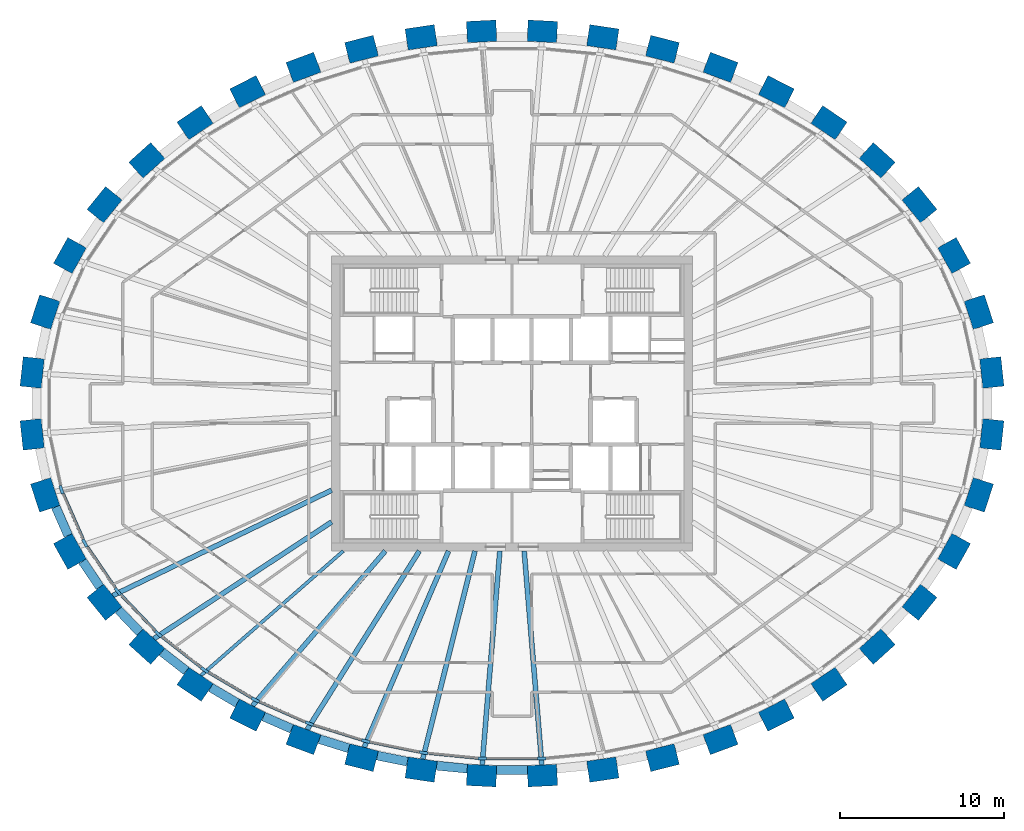
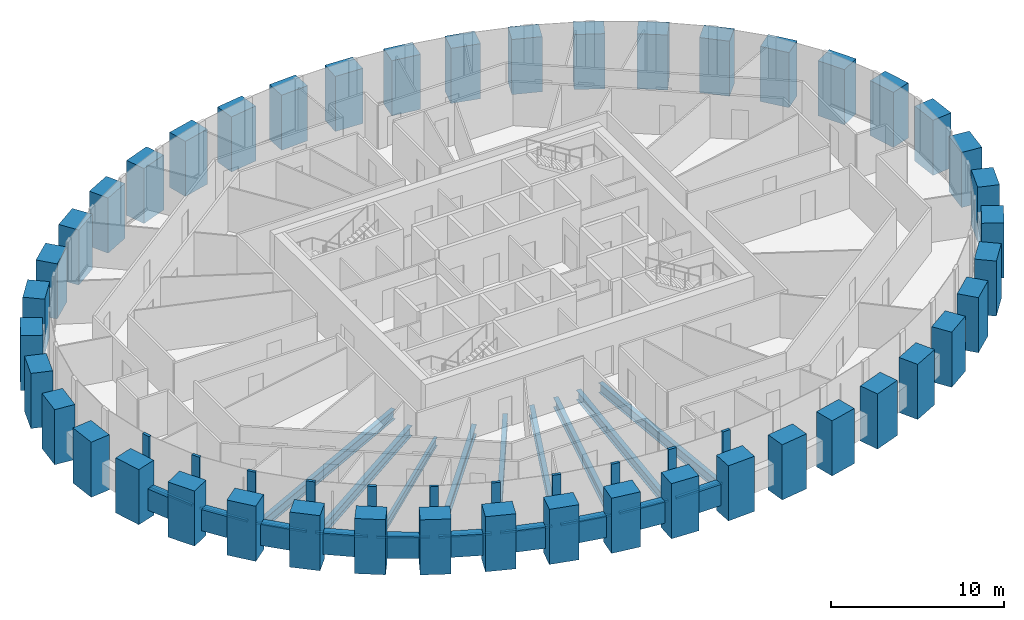
# One storey, part 1 of 11: 44 columns, 21 members, 19 beams, 1 element without a shape of its own.
"""IFC4 building model written with IfcOpenShell, lengths in metres."""

import ifcopenshell
import ifcopenshell.guid

model = None  # the IFC model being written
_history = None  # IfcOwnerHistory: only IFC2X3 demands one
_inside = {}  # id of a spatial element -> (the spatial element, [elements in it])
_under = {}  # id of a project, library or spatial element -> (it, [spatial elements below it])
_declared = {}  # id of a project -> (the project, [libraries it declares])
_typed = {}  # id of a type object -> (the type object, [elements of that type])
_made_of = {}  # id of a material, layer set ... -> (it, [elements and type objects made of it])


def new_model(schema):
    """Start an empty IFC model of exactly this schema.

    Asked for "IFC4X3", IfcOpenShell would pick the latest addendum, in which some entities
    have other attributes; the version numbers below select the first issue.
    IFC2X3 requires an IfcOwnerHistory on every rooted entity: one is made here for all.
    """
    global model, _history
    if schema == "IFC4X3":
        model = ifcopenshell.file(schema_version=(4, 3, 0, 0))
    else:
        model = ifcopenshell.file(schema=schema)
    _inside.clear()
    _under.clear()
    _declared.clear()
    _typed.clear()
    _made_of.clear()
    _history = None
    if model.schema == "IFC2X3":
        org = make("IfcOrganization", Name="unknown")
        user = make(
            "IfcPersonAndOrganization",
            ThePerson=make("IfcPerson", FamilyName="unknown"),
            TheOrganization=org,
        )
        app = make(
            "IfcApplication",
            ApplicationDeveloper=org,
            Version="unknown",
            ApplicationFullName="unknown",
            ApplicationIdentifier="unknown",
        )
        _history = make(
            "IfcOwnerHistory",
            OwningUser=user,
            OwningApplication=app,
            ChangeAction="ADDED",
            CreationDate=0,
        )
    return model


def make(cls, **values):
    """One entity of the class cls with the attributes given. An attribute that is None is left unset."""
    return model.create_entity(
        cls, **{name: value for name, value in values.items() if value is not None}
    )


def rooted(cls, **values):
    """An entity with a GlobalId (a new one), such as an element, a storey or a relation."""
    return make(cls, GlobalId=ifcopenshell.guid.new(), OwnerHistory=_history, **values)


def si_unit(unit_type, name, prefix=None):
    """IfcSIUnit, for example si_unit("LENGTHUNIT", "METRE", prefix="MILLI")."""
    return make("IfcSIUnit", UnitType=unit_type, Prefix=prefix, Name=name)


def assignment(units):
    """IfcUnitAssignment: the units of a project."""
    return None if units is None else make("IfcUnitAssignment", Units=units)


def point(xyz):
    """IfcCartesianPoint."""
    return None if xyz is None else make("IfcCartesianPoint", Coordinates=xyz)


def direction(xyz):
    """IfcDirection."""
    return None if xyz is None else make("IfcDirection", DirectionRatios=xyz)


def frame(location, z_axis=None, x_axis=None):
    """IfcAxis2Placement3D, a coordinate frame: its origin and axes. An axis left out is left unset."""
    return make(
        "IfcAxis2Placement3D",
        Location=point(location),
        Axis=direction(z_axis),
        RefDirection=direction(x_axis),
    )


def frame_2d(location, x_axis=None):
    """IfcAxis2Placement2D, a coordinate frame in the plane: its origin and x axis."""
    return make(
        "IfcAxis2Placement2D", Location=point(location), RefDirection=direction(x_axis)
    )


def origin():
    """The frame at (0, 0, 0) with its axes left unset."""
    return frame((0.0, 0.0, 0.0))


def origin_2d():
    """The frame at (0, 0) in the plane with its x axis left unset."""
    return frame_2d((0.0, 0.0))


def place(relative_to, where):
    """IfcLocalPlacement: puts the frame where relative to a parent placement (None: the world)."""
    return make(
        "IfcLocalPlacement", PlacementRelTo=relative_to, RelativePlacement=where
    )


def context(
    kind, dimensions, precision=None, world=None, true_north=None, identifier=None
):
    """IfcGeometricRepresentationContext, for example the 3D "Model" context."""
    return make(
        "IfcGeometricRepresentationContext",
        ContextIdentifier=identifier,
        ContextType=kind,
        CoordinateSpaceDimension=dimensions,
        Precision=precision,
        WorldCoordinateSystem=world,
        TrueNorth=true_north,
    )


def subcontext(parent, identifier, kind, view, scale=None):
    """IfcGeometricRepresentationSubContext, for example "Body" below "Model"."""
    return make(
        "IfcGeometricRepresentationSubContext",
        ContextIdentifier=identifier,
        ContextType=kind,
        ParentContext=parent,
        TargetScale=scale,
        TargetView=view,
    )


def project(units=None, contexts=None):
    """IfcProject with its units and contexts."""
    return rooted(
        "IfcProject",
        Name="project",
        RepresentationContexts=contexts,
        UnitsInContext=assignment(units),
    )


def spatial(cls, under=None, at=None, **own):
    """A site, building, storey or space (cls), placed at a placement, below another one or the project."""
    s = rooted(cls, ObjectPlacement=at, **own)
    if under is not None:
        _under.setdefault(under.id(), (under, []))[1].append(s)
    return s


def profile(cls, at=None, kind="AREA", **sizes):
    """A parametric profile (cls). Its sizes go by their IFC names, for example OverallWidth=200.0."""
    return make(cls, ProfileType=kind, Position=at, **sizes)


def rectangle(**sizes):
    """IfcRectangleProfileDef."""
    return profile("IfcRectangleProfileDef", **sizes)


def i_section(**sizes):
    """IfcIShapeProfileDef."""
    return profile("IfcIShapeProfileDef", **sizes)


def extrude(swept, where, along, depth):
    """IfcExtrudedAreaSolid: the profile swept, set in the frame where, extruded along a direction by depth."""
    return make(
        "IfcExtrudedAreaSolid",
        SweptArea=swept,
        Position=where,
        ExtrudedDirection=direction(along),
        Depth=depth,
    )


def shape(context_of_items, identifier, shape_type, items):
    """IfcShapeRepresentation: the items that make up one representation, for example the "Body"."""
    return make(
        "IfcShapeRepresentation",
        ContextOfItems=context_of_items,
        RepresentationIdentifier=identifier,
        RepresentationType=shape_type,
        Items=items,
    )


def source(mapping_origin, context_of_items, identifier, shape_type, items):
    """IfcRepresentationMap: a shape defined once, which mapped items show again and again."""
    return make(
        "IfcRepresentationMap",
        MappingOrigin=mapping_origin,
        MappedRepresentation=shape(context_of_items, identifier, shape_type, items),
    )


def transform(
    local_origin,
    x_axis=None,
    y_axis=None,
    z_axis=None,
    scale=None,
    scale2=None,
    scale3=None,
    uniform=True,
):
    """IfcCartesianTransformationOperator3D, or its non-uniform kind. x_axis, y_axis, z_axis: its Axis1, 2, 3."""
    if uniform:
        return make(
            "IfcCartesianTransformationOperator3D",
            Axis1=direction(x_axis),
            Axis2=direction(y_axis),
            LocalOrigin=point(local_origin),
            Scale=scale,
            Axis3=direction(z_axis),
        )
    return make(
        "IfcCartesianTransformationOperator3DnonUniform",
        Axis1=direction(x_axis),
        Axis2=direction(y_axis),
        LocalOrigin=point(local_origin),
        Scale=scale,
        Axis3=direction(z_axis),
        Scale2=scale2,
        Scale3=scale3,
    )


def mapped(mapping_source, mapping_target):
    """IfcMappedItem: shows the shape of a source again, moved by a transform."""
    return make(
        "IfcMappedItem", MappingSource=mapping_source, MappingTarget=mapping_target
    )


def material(Name=None, Category=None):
    """IfcMaterial."""
    return make("IfcMaterial", Name=Name, Category=Category)


def material_profile(
    of_material, cross_section, Name=None, Category=None, Priority=None
):
    """IfcMaterialProfile: a cross section and its material."""
    return make(
        "IfcMaterialProfile",
        Name=Name,
        Material=of_material,
        Profile=cross_section,
        Priority=Priority,
        Category=Category,
    )


def profile_set(profiles, Name=None, composite=None):
    """IfcMaterialProfileSet."""
    return make(
        "IfcMaterialProfileSet",
        Name=Name,
        MaterialProfiles=profiles,
        CompositeProfile=composite,
    )


def made_of(thing, what):
    """Note that an element or type object is made of a material, layer set ...; save() writes the relation."""
    if what is not None:
        _made_of.setdefault(what.id(), (what, []))[1].append(thing)
    return thing


def type_object(cls, material=None, **own):
    """A type object (cls), such as IfcWallType, which elements share."""
    return made_of(rooted(cls, **own), material)


def element(
    cls,
    number,
    at=None,
    inside=None,
    cuts=None,
    type_object=None,
    material=None,
    context=None,
    identifier="Body",
    shape_type=None,
    held_by="IfcProductDefinitionShape",
    body=None,
    shapes=None,
    **own,
):
    """One element of the class cls, such as IfcWall. Its Tag is "e" and its number.

    at: its placement. inside: the storey or other place that contains it. cuts: it is an
    opening in that element (IfcRelVoidsElement). A single representation is given by context,
    identifier, shape_type and body (its items); several are given by shapes. held_by: the class
    of the entity that holds the representations. save() writes the other relations.
    """
    e = rooted(cls, Tag="e%d" % number, ObjectPlacement=at, **own)
    if body is not None:
        shapes = [shape(context, identifier, shape_type, body)]
    if shapes is not None:
        e.Representation = make(held_by, Representations=shapes)
    if inside is not None:
        _inside.setdefault(inside.id(), (inside, []))[1].append(e)
    if cuts is not None:
        rooted(
            "IfcRelVoidsElement", RelatingBuildingElement=cuts, RelatedOpeningElement=e
        )
    if type_object is not None:
        _typed.setdefault(type_object.id(), (type_object, []))[1].append(e)
    return made_of(e, material)


def aggregate(whole, parts):
    """IfcRelAggregates: a whole, such as a stair, and the parts it consists of."""
    return rooted("IfcRelAggregates", RelatingObject=whole, RelatedObjects=parts)


def save(model, path):
    """Write the relations noted so far, then the file.

    IfcRelAggregates (storeys below a building ...), IfcRelContainedInSpatialStructure (elements
    in a storey), IfcRelDefinesByType, IfcRelAssociatesMaterial and IfcRelDeclares: one each for
    every whole, place, type object, material and project.
    """
    for whole, parts in _under.values():
        aggregate(whole, parts)
    for where, things in _inside.values():
        rooted(
            "IfcRelContainedInSpatialStructure",
            RelatedElements=things,
            RelatingStructure=where,
        )
    for kind, things in _typed.values():
        rooted("IfcRelDefinesByType", RelatedObjects=things, RelatingType=kind)
    for what, things in _made_of.values():
        rooted("IfcRelAssociatesMaterial", RelatedObjects=things, RelatingMaterial=what)
    for by, libraries in _declared.values():
        rooted("IfcRelDeclares", RelatingContext=by, RelatedDefinitions=libraries)
    model.write(path)


model = new_model("IFC4")

# Units and contexts
model_context = context("Model", 3, precision=1e-05, world=origin(), true_north=direction((0.0, 1.0)))
body_context = subcontext(model_context, "Body", "Model", "MODEL_VIEW")
ifc_project = project(units=[si_unit("LENGTHUNIT", "METRE"), si_unit("AREAUNIT", "SQUARE_METRE"), si_unit("VOLUMEUNIT", "CUBIC_METRE"), si_unit("PLANEANGLEUNIT", "RADIAN"), si_unit("MASSUNIT", "GRAM", prefix="KILO")], contexts=[model_context])

# Site, building, storey
site_placement = place(None, origin())
site = spatial("IfcSite", under=ifc_project, at=site_placement, CompositionType="ELEMENT")
building_placement = place(site_placement, origin())
building = spatial("IfcBuilding", under=site, at=building_placement, Name="Embergate Tower", CompositionType="ELEMENT")
storey_placement = place(building_placement, frame((0.0, 0.0, 324.699951171875)))
storey = spatial("IfcBuildingStorey", under=building, at=storey_placement, Name="L76", CompositionType="ELEMENT", Elevation=324.699951171875)

# Columns
ifc_material_1 = material(Name="Concrete C50", Category="concrete")
ifc_material_profile_1 = material_profile(ifc_material_1, rectangle(XDim=1.300048828125, YDim=1.800048828125, at=origin_2d()), Name="RC 1300x1800")
ifc_profile_set_1 = profile_set([ifc_material_profile_1], Name="Concrete C50")
column_type = type_object("IfcColumnType", Name="Ring column RC 1300x1800 C50", PredefinedType="COLUMN", material=ifc_profile_set_1)
shared_shape_1 = source(origin(), body_context, "Body", "SweptSolid", [
    extrude(rectangle(XDim=1.300048828125, YDim=1.800048828125, at=origin_2d()), origin(), (0.0, 0.0, 1.0), 3.89990234375),
])
for number, where, z_axis, x_axis, name in (
    (1, (29.262939453125, 1.886962890625, -1.39990234375), (0.0, 0.0, 1.0), (0.99428589498, 0.106749983816, 0.0), "COL-L76-00"),
    (2, (28.469970703125, 5.573974609375, -1.39990234375), (0.0, 0.0, 1.0), (0.950754033697, 0.309946394413, 0.0), "COL-L76-01"),
    (3, (26.958984375, 9.02001953125, -1.39990234375), (0.0, 0.0, 1.0), (0.873500465855, 0.486823311018, 0.0), "COL-L76-02"),
    (4, (24.84912109375, 12.1220703125, -1.39990234375), (0.0, 0.0, 1.0), (0.775925311702, 0.630824786022, 0.0), "COL-L76-03"),
    (5, (22.26904296875, 14.827880859375, -1.39990234375), (0.0, 0.0, 1.0), (0.669221393633, 0.743063070206, 0.0), "COL-L76-04"),
    (6, (19.3291015625, 17.123046875, -1.39990234375), (0.0, 0.0, 1.0), (0.560393279442, 0.828226643109, 0.0), "COL-L76-05"),
    (7, (16.12109375, 19.010009765625, -1.39990234375), (0.0, 0.0, 1.0), (0.453010512651, 0.891505174089, 0.0), "COL-L76-06"),
    (8, (12.717041015625, 20.498046875, -1.39990234375), (0.0, 0.0, 1.0), (0.348343015724, 0.93736713373, 0.0), "COL-L76-07"),
    (9, (9.175048828125, 21.60107421875, -1.39990234375), (0.0, 0.0, 1.0), (0.24650851817, 0.969140624713, 0.0), "COL-L76-08"),
    (10, (5.5400390625, 22.330078125, -1.39990234375), (0.0, 0.0, 1.0), (0.146929011949, 0.989147039346, 0.0), "COL-L76-09"),
    (11, (1.85205078125, 22.693115234375, -1.39990234375), (0.0, 0.0, 1.0), (0.048814904854, 0.998807841912, 0.0), "COL-L76-10"),
    (12, (-1.85205078125, 22.693115234375, -1.39990234375), (0.0, 0.0, 1.0), (-0.048814904854, 0.998807841912, 0.0), "COL-L76-11"),
    (13, (-5.5400390625, 22.330078125, -1.39990234375), (0.0, 0.0, 1.0), (-0.146929011949, 0.989147039346, 0.0), "COL-L76-12"),
    (14, (-9.175048828125, 21.60107421875, -1.39990234375), (0.0, 0.0, 1.0), (-0.24650851817, 0.969140624713, 0.0), "COL-L76-13"),
    (15, (-12.717041015625, 20.498046875, -1.39990234375), (0.0, 0.0, 1.0), (-0.348343015724, 0.93736713373, 0.0), "COL-L76-14"),
    (16, (-16.12109375, 19.010009765625, -1.39990234375), (0.0, 0.0, 1.0), (-0.453010512651, 0.891505174089, 0.0), "COL-L76-15"),
    (17, (-19.3291015625, 17.123046875, -1.39990234375), (0.0, 0.0, 1.0), (-0.560393279442, 0.828226643109, 0.0), "COL-L76-16"),
    (18, (-22.26904296875, 14.827880859375, -1.39990234375), (0.0, 0.0, 1.0), (-0.669221393633, 0.743063070206, 0.0), "COL-L76-17"),
    (19, (-24.84912109375, 12.1220703125, -1.39990234375), (0.0, 0.0, 1.0), (-0.775925311702, 0.630824786022, 0.0), "COL-L76-18"),
    (20, (-26.958984375, 9.02001953125, -1.39990234375), (0.0, 0.0, 1.0), (-0.873500465855, 0.486823311018, 0.0), "COL-L76-19"),
    (21, (-28.469970703125, 5.573974609375, -1.39990234375), (0.0, 0.0, 1.0), (-0.950754033697, 0.309946394413, 0.0), "COL-L76-20"),
    (22, (-29.262939453125, 1.886962890625, -1.39990234375), (0.0, 0.0, 1.0), (-0.99428589498, 0.106749983816, 0.0), "COL-L76-21"),
    (23, (-29.262939453125, -1.886962890625, -1.39990234375), (0.0, 0.0, 1.0), (-0.99428589498, -0.106749983816, 0.0), "COL-L76-22"),
    (24, (-28.469970703125, -5.573974609375, -1.39990234375), (0.0, 0.0, 1.0), (-0.950754033697, -0.309946394413, 0.0), "COL-L76-23"),
    (25, (-26.958984375, -9.02001953125, -1.39990234375), (0.0, 0.0, 1.0), (-0.873500465855, -0.486823311018, 0.0), "COL-L76-24"),
    (26, (-24.84912109375, -12.1220703125, -1.39990234375), (0.0, 0.0, 1.0), (-0.775925311702, -0.630824786022, 0.0), "COL-L76-25"),
    (27, (-22.26904296875, -14.827880859375, -1.39990234375), (0.0, 0.0, 1.0), (-0.669221393633, -0.743063070206, 0.0), "COL-L76-26"),
    (28, (-19.3291015625, -17.123046875, -1.39990234375), (0.0, 0.0, 1.0), (-0.560393279442, -0.828226643109, 0.0), "COL-L76-27"),
    (29, (-16.12109375, -19.010009765625, -1.39990234375), (0.0, 0.0, 1.0), (-0.453010512651, -0.891505174089, 0.0), "COL-L76-28"),
    (30, (-12.717041015625, -20.498046875, -1.39990234375), (0.0, 0.0, 1.0), (-0.348343015724, -0.93736713373, 0.0), "COL-L76-29"),
    (31, (-9.175048828125, -21.60107421875, -1.39990234375), (0.0, 0.0, 1.0), (-0.24650851817, -0.969140624713, 0.0), "COL-L76-30"),
    (32, (-5.5400390625, -22.330078125, -1.39990234375), (0.0, 0.0, 1.0), (-0.146929011949, -0.989147039346, 0.0), "COL-L76-31"),
    (33, (-1.85205078125, -22.693115234375, -1.39990234375), (0.0, 0.0, 1.0), (-0.048814904854, -0.998807841912, 0.0), "COL-L76-32"),
    (34, (1.85205078125, -22.693115234375, -1.39990234375), (0.0, 0.0, 1.0), (0.048814904854, -0.998807841912, 0.0), "COL-L76-33"),
    (35, (5.5400390625, -22.330078125, -1.39990234375), (0.0, 0.0, 1.0), (0.146929011949, -0.989147039346, 0.0), "COL-L76-34"),
    (36, (9.175048828125, -21.60107421875, -1.39990234375), (0.0, 0.0, 1.0), (0.24650851817, -0.969140624713, 0.0), "COL-L76-35"),
    (37, (12.717041015625, -20.498046875, -1.39990234375), (0.0, 0.0, 1.0), (0.348343015724, -0.93736713373, 0.0), "COL-L76-36"),
    (38, (16.12109375, -19.010009765625, -1.39990234375), (0.0, 0.0, 1.0), (0.453010512651, -0.891505174089, 0.0), "COL-L76-37"),
    (39, (19.3291015625, -17.123046875, -1.39990234375), (0.0, 0.0, 1.0), (0.560393279442, -0.828226643109, 0.0), "COL-L76-38"),
    (40, (22.26904296875, -14.827880859375, -1.39990234375), (0.0, 0.0, 1.0), (0.669221393633, -0.743063070206, 0.0), "COL-L76-39"),
    (41, (24.84912109375, -12.1220703125, -1.39990234375), (0.0, 0.0, 1.0), (0.775925311702, -0.630824786022, 0.0), "COL-L76-40"),
    (42, (26.958984375, -9.02001953125, -1.39990234375), (0.0, 0.0, 1.0), (0.873500465855, -0.486823311018, 0.0), "COL-L76-41"),
    (43, (28.469970703125, -5.573974609375, -1.39990234375), (0.0, 0.0, 1.0), (0.950754033697, -0.309946394413, 0.0), "COL-L76-42"),
    (44, (29.262939453125, -1.886962890625, -1.39990234375), (0.0, 0.0, 1.0), (0.99428589498, -0.106749983816, 0.0), "COL-L76-43"),
):
    element("IfcColumn", number, at=place(storey_placement, frame(where, z_axis=z_axis, x_axis=x_axis)), inside=storey, type_object=column_type, Name=name, PredefinedType="COLUMN", context=body_context, shape_type="MappedRepresentation", body=[
        mapped(shared_shape_1, transform((0.0, 0.0, 0.0))),
    ])

# Beams
ifc_material_profile_2 = material_profile(ifc_material_1, rectangle(XDim=0.550048828125, YDim=1.5, at=origin_2d()), Name="RC 550x1500")
ifc_profile_set_2 = profile_set([ifc_material_profile_2], Name="Concrete C50")
beam_type_1 = type_object("IfcBeamType", Name="Spandrel beam RC 550x1500 C50", PredefinedType="BEAM", material=ifc_profile_set_2)
shared_shape_2 = source(origin(), body_context, "Body", "SweptSolid", [
    extrude(rectangle(XDim=0.550048828125, YDim=1.5, at=origin_2d()), origin(), (0.0, 0.0, 1.0), 1.897705078125),
])
beam_1_placement = place(storey_placement, frame((-27.827880859375, -6.31103515625, 0.0), z_axis=(0.401513845594, -0.915852953151, 0.0), x_axis=(0.915852953151, 0.401513845594, 0.0)))
element("IfcBeam", 45, at=beam_1_placement, inside=storey, type_object=beam_type_1, Name="SPN-L76-23", PredefinedType="BEAM", context=body_context, shape_type="MappedRepresentation", body=[
    mapped(shared_shape_2, transform((0.0, 0.0, 0.0))),
])
shared_shape_3 = source(origin(), body_context, "Body", "SweptSolid", [
    extrude(rectangle(XDim=0.550048828125, YDim=1.5, at=origin_2d()), origin(), (0.0, 0.0, 1.0), 1.893798828125),
])
beam_2_placement = place(storey_placement, frame((-26.194091796875, -9.6240234375, 0.0), z_axis=(0.562440477268, -0.826837777034, 0.0), x_axis=(0.826837777034, 0.562440477268, 0.0)))
element("IfcBeam", 46, at=beam_2_placement, inside=storey, type_object=beam_type_1, Name="SPN-L76-24", PredefinedType="BEAM", context=body_context, shape_type="MappedRepresentation", body=[
    mapped(shared_shape_3, transform((0.0, 0.0, 0.0))),
])
shared_shape_4 = source(origin(), body_context, "Body", "SweptSolid", [
    extrude(rectangle(XDim=0.550048828125, YDim=1.5, at=origin_2d()), origin(), (0.0, 0.0, 1.0), 1.8876953125),
])
beam_3_placement = place(storey_placement, frame((-23.998046875, -12.590087890625, 0.0), z_axis=(0.69022655599, -0.723593325982, 0.0), x_axis=(0.723593325982, 0.69022655599, 0.0)))
element("IfcBeam", 47, at=beam_3_placement, inside=storey, type_object=beam_type_1, Name="SPN-L76-25", PredefinedType="BEAM", context=body_context, shape_type="MappedRepresentation", body=[
    mapped(shared_shape_4, transform((0.0, 0.0, 0.0))),
])
shared_shape_5 = source(origin(), body_context, "Body", "SweptSolid", [
    extrude(rectangle(XDim=0.550048828125, YDim=1.5, at=origin_2d()), origin(), (0.0, 0.0, 1.0), 1.88232421875),
])
beam_4_placement = place(storey_placement, frame((-21.347900390625, -15.14990234375, 0.0), z_axis=(0.788303508782, -0.615286582043, 0.0), x_axis=(0.615286582043, 0.788303508782, 0.0)))
element("IfcBeam", 48, at=beam_4_placement, inside=storey, type_object=beam_type_1, Name="SPN-L76-26", PredefinedType="BEAM", context=body_context, shape_type="MappedRepresentation", body=[
    mapped(shared_shape_5, transform((0.0, 0.0, 0.0))),
])
shared_shape_6 = source(origin(), body_context, "Body", "SweptSolid", [
    extrude(rectangle(XDim=0.550048828125, YDim=1.5, at=origin_2d()), origin(), (0.0, 0.0, 1.0), 1.87939453125),
])
beam_5_placement = place(storey_placement, frame((-18.3759765625, -17.320068359375, 0.0), z_axis=(0.861930875636, -0.507025803708, 0.0), x_axis=(0.507025803708, 0.861930875636, 0.0)))
element("IfcBeam", 49, at=beam_5_placement, inside=storey, type_object=beam_type_1, Name="SPN-L76-27", PredefinedType="BEAM", context=body_context, shape_type="MappedRepresentation", body=[
    mapped(shared_shape_6, transform((0.0, 0.0, 0.0))),
])
shared_shape_7 = source(origin(), body_context, "Body", "SweptSolid", [
    extrude(rectangle(XDim=0.550048828125, YDim=1.5, at=origin_2d()), origin(), (0.0, 0.0, 1.0), 1.876708984375),
])
beam_6_placement = place(storey_placement, frame((-15.153076171875, -19.091064453125, 0.0), z_axis=(0.916452657221, -0.400143133231, 0.0), x_axis=(0.400143133231, 0.916452657221, 0.0)))
element("IfcBeam", 50, at=beam_6_placement, inside=storey, type_object=beam_type_1, Name="SPN-L76-28", PredefinedType="BEAM", context=body_context, shape_type="MappedRepresentation", body=[
    mapped(shared_shape_7, transform((0.0, 0.0, 0.0))),
])
shared_shape_8 = source(origin(), body_context, "Body", "SweptSolid", [
    extrude(rectangle(XDim=0.550048828125, YDim=1.5, at=origin_2d()), origin(), (0.0, 0.0, 1.0), 1.873779296875),
])
for number, where, z_axis, x_axis, name in (
    (51, (-11.7470703125, -20.470947265625, 0.0), (0.954776255033, -0.297325247542, 0.0), (0.297325247542, 0.954776255033, 0.0), "SPN-L76-29"),
    (52, (-8.214111328125, -21.472900390625, 0.0), (0.980404898084, -0.196992984173, 0.0), (0.196992984173, 0.980404898084, 0.0), "SPN-L76-30"),
):
    element("IfcBeam", number, at=place(storey_placement, frame(where, z_axis=z_axis, x_axis=x_axis)), inside=storey, type_object=beam_type_1, Name=name, PredefinedType="BEAM", context=body_context, shape_type="MappedRepresentation", body=[
        mapped(shared_shape_8, transform((0.0, 0.0, 0.0))),
    ])
shared_shape_9 = source(origin(), body_context, "Body", "SweptSolid", [
    extrude(rectangle(XDim=0.550048828125, YDim=1.5, at=origin_2d()), origin(), (0.0, 0.0, 1.0), 1.87109375),
])
beam_7_placement = place(storey_placement, frame((-4.593994140625, -22.0869140625, 0.0), z_axis=(0.995148946648, -0.098379743775, 0.0), x_axis=(0.098379743775, 0.995148946648, 0.0)))
element("IfcBeam", 53, at=beam_7_placement, inside=storey, type_object=beam_type_1, Name="SPN-L76-31", PredefinedType="BEAM", context=body_context, shape_type="MappedRepresentation", body=[
    mapped(shared_shape_9, transform((0.0, 0.0, 0.0))),
])
shared_shape_10 = source(origin(), body_context, "Body", "SweptSolid", [
    extrude(rectangle(XDim=0.550048828125, YDim=1.5, at=origin_2d()), origin(), (0.0, 0.0, 1.0), 1.8701171875),
])
beam_8_placement = place(storey_placement, frame((-0.93505859375, -22.35888671875, 0.0), z_axis=(1.0, 0.0, 0.0), x_axis=(0.0, 1.0, 0.0)))
element("IfcBeam", 54, at=beam_8_placement, inside=storey, type_object=beam_type_1, Name="SPN-L76-32", PredefinedType="BEAM", context=body_context, shape_type="MappedRepresentation", body=[
    mapped(shared_shape_10, transform((0.0, 0.0, 0.0))),
])
ifc_material_2 = material(Name="Steel Q355B", Category="steel")
ifc_material_profile_3 = material_profile(ifc_material_2, i_section(OverallWidth=0.300048828125, OverallDepth=0.699951171875, WebThickness=0.012939453125, FlangeThickness=0.02392578125, FilletRadius=0.01806640625, at=origin_2d()), Name="HN 700x300x13x24")
ifc_profile_set_3 = profile_set([ifc_material_profile_3], Name="Steel Q355 grade B")
beam_type_2 = type_object("IfcBeamType", Name="Radial girder HN 700x300x13x24", PredefinedType="BEAM", material=ifc_profile_set_3)
shared_shape_11 = source(origin(), body_context, "Body", "SweptSolid", [
    extrude(i_section(OverallWidth=0.300048828125, OverallDepth=0.699951171875, WebThickness=0.012939453125, FlangeThickness=0.02392578125, FilletRadius=0.01806640625, at=origin_2d()), origin(), (0.0, 0.0, 1.0), 14.808837890625),
])
beam_9_placement = place(storey_placement, frame((-24.344970703125, -11.7119140625, -0.550048828125), z_axis=(0.90114505666, 0.43351768921, 0.0), x_axis=(-0.43351768921, 0.90114505666, 0.0)))
element("IfcBeam", 55, at=beam_9_placement, inside=storey, type_object=beam_type_2, Name="GIR-L76-25", PredefinedType="BEAM", context=body_context, shape_type="MappedRepresentation", body=[
    mapped(shared_shape_11, transform((0.0, 0.0, 0.0))),
])
shared_shape_12 = source(origin(), body_context, "Body", "SweptSolid", [
    extrude(i_section(OverallWidth=0.300048828125, OverallDepth=0.699951171875, WebThickness=0.012939453125, FlangeThickness=0.02392578125, FilletRadius=0.01806640625, at=origin_2d()), origin(), (0.0, 0.0, 1.0), 12.963134765625),
])
beam_10_placement = place(storey_placement, frame((-21.833984375, -14.344970703125, -0.550048828125), z_axis=(0.835760548257, 0.549094077529, 0.0), x_axis=(-0.549094077529, 0.835760548257, 0.0)))
element("IfcBeam", 56, at=beam_10_placement, inside=storey, type_object=beam_type_2, Name="GIR-L76-26", PredefinedType="BEAM", context=body_context, shape_type="MappedRepresentation", body=[
    mapped(shared_shape_12, transform((0.0, 0.0, 0.0))),
])
ifc_material_profile_4 = material_profile(ifc_material_2, i_section(OverallWidth=0.199951171875, OverallDepth=0.60009765625, WebThickness=0.010986328125, FlangeThickness=0.01708984375, FilletRadius=0.012939453125, at=origin_2d()), Name="HN 600x200x11x17")
ifc_profile_set_4 = profile_set([ifc_material_profile_4], Name="Steel Q355 grade B")
beam_type_3 = type_object("IfcBeamType", Name="Radial girder HN 600x200x11x17", PredefinedType="BEAM", material=ifc_profile_set_4)
shared_shape_13 = source(origin(), body_context, "Body", "SweptSolid", [
    extrude(i_section(OverallWidth=0.199951171875, OverallDepth=0.60009765625, WebThickness=0.010986328125, FlangeThickness=0.01708984375, FilletRadius=0.012939453125, at=origin_2d()), origin(), (0.0, 0.0, 1.0), 11.52197265625),
])
beam_11_placement = place(storey_placement, frame((-18.965087890625, -16.5849609375, -0.5), z_axis=(0.752748620868, 0.658308069054, 0.0), x_axis=(-0.658308069054, 0.752748620868, 0.0)))
element("IfcBeam", 57, at=beam_11_placement, inside=storey, type_object=beam_type_3, Name="GIR-L76-27", PredefinedType="BEAM", context=body_context, shape_type="MappedRepresentation", body=[
    mapped(shared_shape_13, transform((0.0, 0.0, 0.0))),
])
shared_shape_14 = source(origin(), body_context, "Body", "SweptSolid", [
    extrude(i_section(OverallWidth=0.300048828125, OverallDepth=0.699951171875, WebThickness=0.012939453125, FlangeThickness=0.02392578125, FilletRadius=0.01806640625, at=origin_2d()), origin(), (0.0, 0.0, 1.0), 12.43115234375),
])
beam_12_placement = place(storey_placement, frame((-15.826904296875, -18.430908203125, -0.550048828125), z_axis=(0.651497878896, 0.758650455608, 0.0), x_axis=(-0.758650455608, 0.651497878896, 0.0)))
element("IfcBeam", 58, at=beam_12_placement, inside=storey, type_object=beam_type_2, Name="GIR-L76-28", PredefinedType="BEAM", context=body_context, shape_type="MappedRepresentation", body=[
    mapped(shared_shape_14, transform((0.0, 0.0, 0.0))),
])
shared_shape_15 = source(origin(), body_context, "Body", "SweptSolid", [
    extrude(i_section(OverallWidth=0.300048828125, OverallDepth=0.699951171875, WebThickness=0.012939453125, FlangeThickness=0.02392578125, FilletRadius=0.01806640625, at=origin_2d()), origin(), (0.0, 0.0, 1.0), 12.8583984375),
])
beam_13_placement = place(storey_placement, frame((-12.490966796875, -19.888916015625, -0.550048828125), z_axis=(0.531859653709, 0.846832515174, 0.0), x_axis=(-0.846832515174, 0.531859653709, 0.0)))
element("IfcBeam", 59, at=beam_13_placement, inside=storey, type_object=beam_type_2, Name="GIR-L76-29", PredefinedType="BEAM", context=body_context, shape_type="MappedRepresentation", body=[
    mapped(shared_shape_15, transform((0.0, 0.0, 0.0))),
])
shared_shape_16 = source(origin(), body_context, "Body", "SweptSolid", [
    extrude(i_section(OverallWidth=0.300048828125, OverallDepth=0.699951171875, WebThickness=0.012939453125, FlangeThickness=0.02392578125, FilletRadius=0.01806640625, at=origin_2d()), origin(), (0.0, 0.0, 1.0), 13.0302734375),
])
beam_14_placement = place(storey_placement, frame((-9.014892578125, -20.970947265625, -0.550048828125), z_axis=(0.394929867162, 0.918711271305, 0.0), x_axis=(-0.918711271305, 0.394929867162, 0.0)))
element("IfcBeam", 60, at=beam_14_placement, inside=storey, type_object=beam_type_2, Name="GIR-L76-30", PredefinedType="BEAM", context=body_context, shape_type="MappedRepresentation", body=[
    mapped(shared_shape_16, transform((0.0, 0.0, 0.0))),
])
shared_shape_17 = source(origin(), body_context, "Body", "SweptSolid", [
    extrude(i_section(OverallWidth=0.300048828125, OverallDepth=0.699951171875, WebThickness=0.012939453125, FlangeThickness=0.02392578125, FilletRadius=0.01806640625, at=origin_2d()), origin(), (0.0, 0.0, 1.0), 13.080810546875),
])
beam_15_placement = place(storey_placement, frame((-5.444091796875, -21.68701171875, -0.550048828125), z_axis=(0.243492869498, 0.969902687131, 0.0), x_axis=(-0.969902687131, 0.243492869498, 0.0)))
element("IfcBeam", 61, at=beam_15_placement, inside=storey, type_object=beam_type_2, Name="GIR-L76-31", PredefinedType="BEAM", context=body_context, shape_type="MappedRepresentation", body=[
    mapped(shared_shape_17, transform((0.0, 0.0, 0.0))),
])
shared_shape_18 = source(origin(), body_context, "Body", "SweptSolid", [
    extrude(i_section(OverallWidth=0.300048828125, OverallDepth=0.699951171875, WebThickness=0.012939453125, FlangeThickness=0.02392578125, FilletRadius=0.01806640625, at=origin_2d()), origin(), (0.0, 0.0, 1.0), 13.08837890625),
])
for number, where, z_axis, x_axis, name in (
    (62, (-1.820068359375, -22.0439453125, -0.550048828125), (0.082298295943, 0.996607741534, 0.0), (-0.996607741534, 0.082298295943, 0.0), "GIR-L76-32"),
    (63, (1.820068359375, -22.0439453125, -0.550048828125), (-0.082298295943, 0.996607741534, 0.0), (-0.996607741534, -0.082298295943, 0.0), "GIR-L76-33"),
):
    element("IfcBeam", number, at=place(storey_placement, frame(where, z_axis=z_axis, x_axis=x_axis)), inside=storey, type_object=beam_type_2, Name=name, PredefinedType="BEAM", context=body_context, shape_type="MappedRepresentation", body=[
        mapped(shared_shape_18, transform((0.0, 0.0, 0.0))),
    ])

# Curtain wall, members
ifc_material_3 = material(Name="Aluminium and glass", Category="aluminium")
curtain_wall_type = type_object("IfcCurtainWallType", Name="Recessed office glazing", PredefinedType="NOTDEFINED", material=ifc_material_3)
curtain_wall_placement = place(storey_placement, origin())
curtain_wall = element("IfcCurtainWall", 64, at=curtain_wall_placement, inside=storey, type_object=curtain_wall_type, Name="Recessed office glazing ring", ObjectType="RECESSED OFFICE GLAZING", PredefinedType="USERDEFINED")
ifc_material_4 = material(Name="Aluminium, thermally broken", Category="aluminium")
ifc_material_profile_5 = material_profile(ifc_material_4, rectangle(XDim=0.179931640625, YDim=0.52001953125, at=origin_2d()), Name="AL 520x180")
ifc_profile_set_5 = profile_set([ifc_material_profile_5], Name="Aluminium, thermally broken")
member_type_1 = type_object("IfcMemberType", Name="Office mullion", PredefinedType="MULLION", material=ifc_profile_set_5)
shared_shape_19 = source(origin(), body_context, "Body", "SweptSolid", [
    extrude(rectangle(XDim=0.179931640625, YDim=0.52001953125, at=origin_2d()), origin(), (0.0, 0.0, 1.0), 3.699951171875),
])
member_1_placement = place(storey_placement, frame((-27.480712890625, -5.251708984375, 0.0), z_axis=(0.0, 0.0, 1.0), x_axis=(0.951491891254, 0.307673822216, 0.0)))
member_1 = element("IfcMember", 65, at=member_1_placement, type_object=member_type_1, Name="CW mullion 24", PredefinedType="MULLION", context=body_context, shape_type="MappedRepresentation", body=[
    mapped(shared_shape_19, transform((0.0, 0.0, 0.0))),
])
member_2_placement = place(storey_placement, frame((-26.05029296875, -8.513671875, 0.0), z_axis=(0.0, 0.0, 1.0), x_axis=(0.874990911284, 0.484139344787, 0.0)))
member_2 = element("IfcMember", 66, at=member_2_placement, type_object=member_type_1, Name="CW mullion 25", PredefinedType="MULLION", context=body_context, shape_type="MappedRepresentation", body=[
    mapped(shared_shape_19, transform((0.0, 0.0, 0.0))),
])
member_3_placement = place(storey_placement, frame((-24.04248046875, -11.4658203125, 0.0), z_axis=(0.0, 0.0, 1.0), x_axis=(0.777861596203, 0.628435626897, 0.0)))
member_3 = element("IfcMember", 67, at=member_3_placement, type_object=member_type_1, Name="CW mullion 26", PredefinedType="MULLION", context=body_context, shape_type="MappedRepresentation", body=[
    mapped(shared_shape_19, transform((0.0, 0.0, 0.0))),
])
member_4_placement = place(storey_placement, frame((-21.57275390625, -14.0556640625, 0.0), z_axis=(0.0, 0.0, 1.0), x_axis=(0.671217477801, 0.741260478843, 0.0)))
member_4 = element("IfcMember", 68, at=member_4_placement, type_object=member_type_1, Name="CW mullion 27", PredefinedType="MULLION", context=body_context, shape_type="MappedRepresentation", body=[
    mapped(shared_shape_19, transform((0.0, 0.0, 0.0))),
])
member_5_placement = place(storey_placement, frame((-18.745849609375, -16.261962890625, 0.0), z_axis=(0.0, 0.0, 1.0), x_axis=(0.562210401679, 0.82699423471, 0.0)))
member_5 = element("IfcMember", 69, at=member_5_placement, type_object=member_type_1, Name="CW mullion 28", PredefinedType="MULLION", context=body_context, shape_type="MappedRepresentation", body=[
    mapped(shared_shape_19, transform((0.0, 0.0, 0.0))),
])
member_6_placement = place(storey_placement, frame((-15.649658203125, -18.08251953125, 0.0), z_axis=(0.0, 0.0, 1.0), x_axis=(0.454508271251, 0.890742516872, 0.0)))
member_6 = element("IfcMember", 70, at=member_6_placement, type_object=member_type_1, Name="CW mullion 29", PredefinedType="MULLION", context=body_context, shape_type="MappedRepresentation", body=[
    mapped(shared_shape_19, transform((0.0, 0.0, 0.0))),
])
member_7_placement = place(storey_placement, frame((-12.354736328125, -19.523193359375, 0.0), z_axis=(0.0, 0.0, 1.0), x_axis=(0.349501047589, 0.936935973124, 0.0)))
member_7 = element("IfcMember", 71, at=member_7_placement, type_object=member_type_1, Name="CW mullion 30", PredefinedType="MULLION", context=body_context, shape_type="MappedRepresentation", body=[
    mapped(shared_shape_19, transform((0.0, 0.0, 0.0))),
])
member_8_placement = place(storey_placement, frame((-8.918212890625, -20.593505859375, 0.0), z_axis=(0.0, 0.0, 1.0), x_axis=(0.24731188137, 0.968935928394, 0.0)))
member_8 = element("IfcMember", 72, at=member_8_placement, type_object=member_type_1, Name="CW mullion 31", PredefinedType="MULLION", context=body_context, shape_type="MappedRepresentation", body=[
    mapped(shared_shape_19, transform((0.0, 0.0, 0.0))),
])
member_9_placement = place(storey_placement, frame((-5.386962890625, -21.301513671875, 0.0), z_axis=(0.0, 0.0, 1.0), x_axis=(0.147412382818, 0.989075118174, 0.0)))
member_9 = element("IfcMember", 73, at=member_9_placement, type_object=member_type_1, Name="CW mullion 32", PredefinedType="MULLION", context=body_context, shape_type="MappedRepresentation", body=[
    mapped(shared_shape_19, transform((0.0, 0.0, 0.0))),
])
member_10_placement = place(storey_placement, frame((-1.801513671875, -21.654052734375, 0.0), z_axis=(0.0, 0.0, 1.0), x_axis=(0.048971796621, 0.998800161762, 0.0)))
member_10 = element("IfcMember", 74, at=member_10_placement, type_object=member_type_1, Name="CW mullion 33", PredefinedType="MULLION", context=body_context, shape_type="MappedRepresentation", body=[
    mapped(shared_shape_19, transform((0.0, 0.0, 0.0))),
])
member_11_placement = place(storey_placement, frame((1.801513671875, -21.654052734375, 0.0), z_axis=(0.0, 0.0, 1.0), x_axis=(-0.048971796621, 0.998800161762, 0.0)))
member_11 = element("IfcMember", 75, at=member_11_placement, type_object=member_type_1, Name="CW mullion 34", PredefinedType="MULLION", context=body_context, shape_type="MappedRepresentation", body=[
    mapped(shared_shape_19, transform((0.0, 0.0, 0.0))),
])
ifc_material_profile_6 = material_profile(ifc_material_4, rectangle(XDim=0.179931640625, YDim=0.14990234375, at=origin_2d()), Name="AL 150x180")
ifc_profile_set_6 = profile_set([ifc_material_profile_6], Name="Aluminium, thermally broken")
member_type_2 = type_object("IfcMemberType", Name="Office sill transom", PredefinedType="USERDEFINED", material=ifc_profile_set_6)
shared_shape_20 = source(origin(), body_context, "Body", "SweptSolid", [
    extrude(rectangle(XDim=0.179931640625, YDim=0.14990234375, at=origin_2d()), origin(), (0.0, 0.0, 1.0), 3.04150390625),
])
member_12_placement = place(storey_placement, frame((-27.37646484375, -5.489990234375, 0.074951171875), z_axis=(0.401665038181, -0.915786654797, 0.0), x_axis=(0.915786654797, 0.401665038181, 0.0)))
member_12 = element("IfcMember", 76, at=member_12_placement, type_object=member_type_2, Name="CW transom 24.1", ObjectType="TRANSOM", PredefinedType="USERDEFINED", context=body_context, shape_type="MappedRepresentation", body=[
    mapped(shared_shape_20, transform((0.0, 0.0, 0.0))),
])
shared_shape_21 = source(origin(), body_context, "Body", "SweptSolid", [
    extrude(rectangle(XDim=0.179931640625, YDim=0.14990234375, at=origin_2d()), origin(), (0.0, 0.0, 1.0), 3.050537109375),
])
member_13_placement = place(storey_placement, frame((-25.904052734375, -8.728515625, 0.074951171875), z_axis=(0.562323156119, -0.826917570313, 0.0), x_axis=(0.826917570313, 0.562323156119, 0.0)))
member_13 = element("IfcMember", 77, at=member_13_placement, type_object=member_type_2, Name="CW transom 25.1", ObjectType="TRANSOM", PredefinedType="USERDEFINED", context=body_context, shape_type="MappedRepresentation", body=[
    mapped(shared_shape_21, transform((0.0, 0.0, 0.0))),
])
shared_shape_22 = source(origin(), body_context, "Body", "SweptSolid", [
    extrude(rectangle(XDim=0.179931640625, YDim=0.14990234375, at=origin_2d()), origin(), (0.0, 0.0, 1.0), 3.05859375),
])
member_14_placement = place(storey_placement, frame((-23.863037109375, -11.654052734375, 0.074951171875), z_axis=(0.690145338974, -0.723670789167, 0.0), x_axis=(0.723670789167, 0.690145338974, 0.0)))
member_14 = element("IfcMember", 78, at=member_14_placement, type_object=member_type_2, Name="CW transom 26.1", ObjectType="TRANSOM", PredefinedType="USERDEFINED", context=body_context, shape_type="MappedRepresentation", body=[
    mapped(shared_shape_22, transform((0.0, 0.0, 0.0))),
])
shared_shape_23 = source(origin(), body_context, "Body", "SweptSolid", [
    extrude(rectangle(XDim=0.179931640625, YDim=0.14990234375, at=origin_2d()), origin(), (0.0, 0.0, 1.0), 3.06591796875),
])
member_15_placement = place(storey_placement, frame((-21.367919921875, -14.2158203125, 0.074951171875), z_axis=(0.788347811485, -0.615229817326, 0.0), x_axis=(0.615229817326, 0.788347811485, 0.0)))
member_15 = element("IfcMember", 79, at=member_15_placement, type_object=member_type_2, Name="CW transom 27.1", ObjectType="TRANSOM", PredefinedType="USERDEFINED", context=body_context, shape_type="MappedRepresentation", body=[
    mapped(shared_shape_23, transform((0.0, 0.0, 0.0))),
])
shared_shape_24 = source(origin(), body_context, "Body", "SweptSolid", [
    extrude(rectangle(XDim=0.179931640625, YDim=0.14990234375, at=origin_2d()), origin(), (0.0, 0.0, 1.0), 3.07177734375),
])
member_16_placement = place(storey_placement, frame((-18.521728515625, -16.393798828125, 0.074951171875), z_axis=(0.862038399322, -0.506842971831, 0.0), x_axis=(0.506842971831, 0.862038399322, 0.0)))
member_16 = element("IfcMember", 80, at=member_16_placement, type_object=member_type_2, Name="CW transom 28.1", ObjectType="TRANSOM", PredefinedType="USERDEFINED", context=body_context, shape_type="MappedRepresentation", body=[
    mapped(shared_shape_24, transform((0.0, 0.0, 0.0))),
])
shared_shape_25 = source(origin(), body_context, "Body", "SweptSolid", [
    extrude(rectangle(XDim=0.179931640625, YDim=0.14990234375, at=origin_2d()), origin(), (0.0, 0.0, 1.0), 3.076171875),
])
member_17_placement = place(storey_placement, frame((-15.41162109375, -18.1865234375, 0.074951171875), z_axis=(0.916242921691, -0.400623150169, 0.0), x_axis=(0.400623150169, 0.916242921691, 0.0)))
member_17 = element("IfcMember", 81, at=member_17_placement, type_object=member_type_2, Name="CW transom 29.1", ObjectType="TRANSOM", PredefinedType="USERDEFINED", context=body_context, shape_type="MappedRepresentation", body=[
    mapped(shared_shape_25, transform((0.0, 0.0, 0.0))),
])
shared_shape_26 = source(origin(), body_context, "Body", "SweptSolid", [
    extrude(rectangle(XDim=0.179931640625, YDim=0.14990234375, at=origin_2d()), origin(), (0.0, 0.0, 1.0), 3.079345703125),
])
member_18_placement = place(storey_placement, frame((-12.1064453125, -19.600341796875, 0.074951171875), z_axis=(0.954753265605, -0.297399061558, 0.0), x_axis=(0.297399061558, 0.954753265605, 0.0)))
member_18 = element("IfcMember", 82, at=member_18_placement, type_object=member_type_2, Name="CW transom 30.1", ObjectType="TRANSOM", PredefinedType="USERDEFINED", context=body_context, shape_type="MappedRepresentation", body=[
    mapped(shared_shape_26, transform((0.0, 0.0, 0.0))),
])
shared_shape_27 = source(origin(), body_context, "Body", "SweptSolid", [
    extrude(rectangle(XDim=0.179931640625, YDim=0.14990234375, at=origin_2d()), origin(), (0.0, 0.0, 1.0), 3.081298828125),
])
member_19_placement = place(storey_placement, frame((-8.663330078125, -20.64453125, 0.074951171875), z_axis=(0.980473874626, -0.19664938641, 0.0), x_axis=(0.19664938641, 0.980473874626, 0.0)))
member_19 = element("IfcMember", 83, at=member_19_placement, type_object=member_type_2, Name="CW transom 31.1", ObjectType="TRANSOM", PredefinedType="USERDEFINED", context=body_context, shape_type="MappedRepresentation", body=[
    mapped(shared_shape_27, transform((0.0, 0.0, 0.0))),
])
shared_shape_28 = source(origin(), body_context, "Body", "SweptSolid", [
    extrude(rectangle(XDim=0.179931640625, YDim=0.14990234375, at=origin_2d()), origin(), (0.0, 0.0, 1.0), 3.0830078125),
])
member_20_placement = place(storey_placement, frame((-5.12841796875, -21.326904296875, 0.074951171875), z_axis=(0.995198169666, -0.09788055524, 0.0), x_axis=(0.09788055524, 0.995198169666, 0.0)))
member_20 = element("IfcMember", 84, at=member_20_placement, type_object=member_type_2, Name="CW transom 32.1", ObjectType="TRANSOM", PredefinedType="USERDEFINED", context=body_context, shape_type="MappedRepresentation", body=[
    mapped(shared_shape_28, transform((0.0, 0.0, 0.0))),
])
member_21_placement = place(storey_placement, frame((-1.54150390625, -21.654052734375, 0.074951171875), z_axis=(1.0, 0.0, 0.0), x_axis=(0.0, 1.0, 0.0)))
member_21 = element("IfcMember", 85, at=member_21_placement, type_object=member_type_2, Name="CW transom 33.1", ObjectType="TRANSOM", PredefinedType="USERDEFINED", context=body_context, shape_type="MappedRepresentation", body=[
    mapped(shared_shape_28, transform((0.0, 0.0, 0.0))),
])
aggregate(curtain_wall, [member_1, member_2, member_3, member_4, member_5, member_6, member_7, member_8, member_9, member_10, member_11, member_12, member_13, member_14, member_15, member_16, member_17, member_18, member_19, member_20, member_21])

save(model, "model.ifc")
